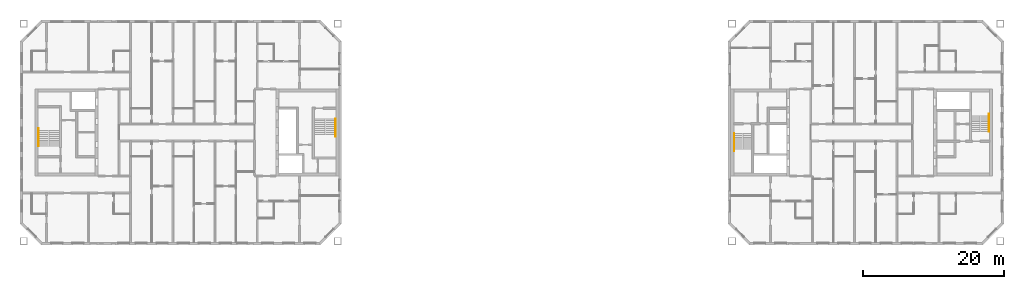
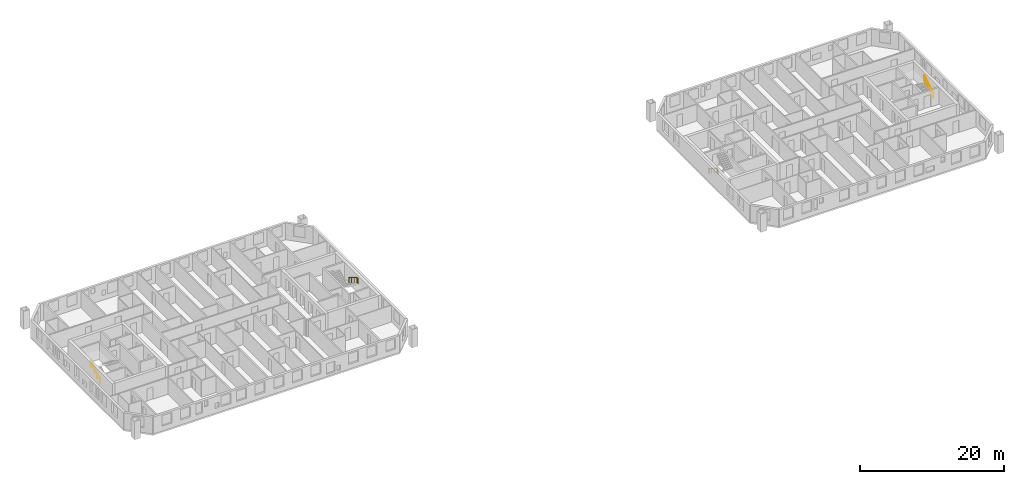
# One storey, part 16 of 16: 4 railings.
"""IFC4 building model written with IfcOpenShell, lengths in metres."""

from ifc_helpers import new_model, si_unit, direction, frame, origin, origin_2d, place, context, subcontext, project, spatial, circle, extrude, material, type_object, element, save


model = new_model("IFC4")

# Units and contexts
model_context = context("Model", 3, precision=1e-05, world=origin(), true_north=direction((0.0, 1.0)))
body_context = subcontext(model_context, "Body", "Model", "MODEL_VIEW")
ifc_project = project(units=[si_unit("LENGTHUNIT", "METRE"), si_unit("AREAUNIT", "SQUARE_METRE"), si_unit("VOLUMEUNIT", "CUBIC_METRE"), si_unit("PLANEANGLEUNIT", "RADIAN"), si_unit("MASSUNIT", "GRAM", prefix="KILO")], contexts=[model_context])

# Site, building, storey
site_placement = place(None, origin())
site = spatial("IfcSite", under=ifc_project, at=site_placement, CompositionType="ELEMENT")
building_placement = place(site_placement, origin())
building = spatial("IfcBuilding", under=site, at=building_placement, Name="Tuart Gate Housing", CompositionType="ELEMENT")
storey_placement = place(building_placement, frame((0.0, 0.0, 182.0)))
storey = spatial("IfcBuildingStorey", under=building, at=storey_placement, Name="L51", CompositionType="ELEMENT", Elevation=182.0)

# Railings
ifc_material = material(Name="Stainless steel", Category="steel")
railing_type = type_object("IfcRailingType", Name="Stair handrail 900", PredefinedType="HANDRAIL", material=ifc_material)
railing_1_placement = place(storey_placement, frame((75.1298828125, 71.949951171875, 0.172119140625)))
element("IfcRailing", 1, at=railing_1_placement, inside=storey, type_object=railing_type, Name="Stair handrail SA1.1", PredefinedType="HANDRAIL", context=body_context, shape_type="SweptSolid", body=[
    extrude(circle(Radius=0.02392578125, at=origin_2d()), frame((0.0, 0.0, 0.8759765625), z_axis=(0.0, -0.851747552033, 0.523952390591), x_axis=(1.0, 0.0, 0.0)), (0.0, 0.0, 1.0), 2.6298828125),
    extrude(circle(Radius=0.02392578125, at=origin_2d()), frame((0.0, -2.239990234375, 2.25390625), z_axis=(0.0, -1.0, 0.0), x_axis=(1.0, 0.0, 0.0)), (0.0, 0.0, 1.0), 0.300048828125),
    extrude(circle(Radius=0.02099609375, at=origin_2d()), origin(), (0.0, 0.0, 1.0), 0.851806640625),
    extrude(circle(Radius=0.02099609375, at=origin_2d()), frame((0.0, -0.74658203125, 0.459228515625)), (0.0, 0.0, 1.0), 0.851806640625),
    extrude(circle(Radius=0.02099609375, at=origin_2d()), frame((0.0, -1.493408203125, 0.918701171875)), (0.0, 0.0, 1.0), 0.851806640625),
    extrude(circle(Radius=0.02099609375, at=origin_2d()), frame((0.0, -2.239990234375, 1.3779296875)), (0.0, 0.0, 1.0), 0.851806640625),
    extrude(circle(Radius=0.02099609375, at=origin_2d()), frame((0.0, -2.5400390625, 1.3779296875)), (0.0, 0.0, 1.0), 0.851806640625),
])
railing_2_placement = place(storey_placement, frame((32.8701171875, 68.050048828125, 0.172119140625)))
element("IfcRailing", 2, at=railing_2_placement, inside=storey, type_object=railing_type, Name="Stair handrail SA2.1", PredefinedType="HANDRAIL", context=body_context, shape_type="SweptSolid", body=[
    extrude(circle(Radius=0.02392578125, at=origin_2d()), frame((0.0, 0.0, 0.8759765625), z_axis=(0.0, 0.851747552033, 0.523952390591), x_axis=(-1.0, 0.0, 0.0)), (0.0, 0.0, 1.0), 2.6298828125),
    extrude(circle(Radius=0.02392578125, at=origin_2d()), frame((0.0, 2.239990234375, 2.25390625), z_axis=(0.0, 1.0, 0.0), x_axis=(-1.0, 0.0, 0.0)), (0.0, 0.0, 1.0), 0.300048828125),
    extrude(circle(Radius=0.02099609375, at=origin_2d()), origin(), (0.0, 0.0, 1.0), 0.851806640625),
    extrude(circle(Radius=0.02099609375, at=origin_2d()), frame((0.0, 0.74658203125, 0.459228515625)), (0.0, 0.0, 1.0), 0.851806640625),
    extrude(circle(Radius=0.02099609375, at=origin_2d()), frame((0.0, 1.493408203125, 0.918701171875)), (0.0, 0.0, 1.0), 0.851806640625),
    extrude(circle(Radius=0.02099609375, at=origin_2d()), frame((0.0, 2.239990234375, 1.3779296875)), (0.0, 0.0, 1.0), 0.851806640625),
    extrude(circle(Radius=0.02099609375, at=origin_2d()), frame((0.0, 2.5400390625, 1.3779296875)), (0.0, 0.0, 1.0), 0.851806640625),
])
railing_3_placement = place(storey_placement, frame((131.8701171875, 69.875, 0.172119140625)))
element("IfcRailing", 3, at=railing_3_placement, inside=storey, type_object=railing_type, Name="Stair handrail SB1.1", PredefinedType="HANDRAIL", context=body_context, shape_type="SweptSolid", body=[
    extrude(circle(Radius=0.02392578125, at=origin_2d()), frame((0.0, 0.0, 0.8759765625), z_axis=(0.0, -0.851747552033, 0.523952390591), x_axis=(1.0, 0.0, 0.0)), (0.0, 0.0, 1.0), 2.6298828125),
    extrude(circle(Radius=0.02392578125, at=origin_2d()), frame((0.0, -2.239990234375, 2.25390625), z_axis=(0.0, -1.0, 0.0), x_axis=(1.0, 0.0, 0.0)), (0.0, 0.0, 1.0), 0.300048828125),
    extrude(circle(Radius=0.02099609375, at=origin_2d()), origin(), (0.0, 0.0, 1.0), 0.851806640625),
    extrude(circle(Radius=0.02099609375, at=origin_2d()), frame((0.0, -0.74658203125, 0.459228515625)), (0.0, 0.0, 1.0), 0.851806640625),
    extrude(circle(Radius=0.02099609375, at=origin_2d()), frame((0.0, -1.493408203125, 0.918701171875)), (0.0, 0.0, 1.0), 0.851806640625),
    extrude(circle(Radius=0.02099609375, at=origin_2d()), frame((0.0, -2.239990234375, 1.3779296875)), (0.0, 0.0, 1.0), 0.851806640625),
    extrude(circle(Radius=0.02099609375, at=origin_2d()), frame((0.0, -2.5400390625, 1.3779296875)), (0.0, 0.0, 1.0), 0.851806640625),
])
railing_4_placement = place(storey_placement, frame((168.1298828125, 70.125, 0.172119140625)))
element("IfcRailing", 4, at=railing_4_placement, inside=storey, type_object=railing_type, Name="Stair handrail SB2.1", PredefinedType="HANDRAIL", context=body_context, shape_type="SweptSolid", body=[
    extrude(circle(Radius=0.02392578125, at=origin_2d()), frame((0.0, 0.0, 0.8759765625), z_axis=(0.0, 0.851747552033, 0.523952390591), x_axis=(-1.0, 0.0, 0.0)), (0.0, 0.0, 1.0), 2.6298828125),
    extrude(circle(Radius=0.02392578125, at=origin_2d()), frame((0.0, 2.239990234375, 2.25390625), z_axis=(0.0, 1.0, 0.0), x_axis=(-1.0, 0.0, 0.0)), (0.0, 0.0, 1.0), 0.300048828125),
    extrude(circle(Radius=0.02099609375, at=origin_2d()), origin(), (0.0, 0.0, 1.0), 0.851806640625),
    extrude(circle(Radius=0.02099609375, at=origin_2d()), frame((0.0, 0.74658203125, 0.459228515625)), (0.0, 0.0, 1.0), 0.851806640625),
    extrude(circle(Radius=0.02099609375, at=origin_2d()), frame((0.0, 1.493408203125, 0.918701171875)), (0.0, 0.0, 1.0), 0.851806640625),
    extrude(circle(Radius=0.02099609375, at=origin_2d()), frame((0.0, 2.239990234375, 1.3779296875)), (0.0, 0.0, 1.0), 0.851806640625),
    extrude(circle(Radius=0.02099609375, at=origin_2d()), frame((0.0, 2.5400390625, 1.3779296875)), (0.0, 0.0, 1.0), 0.851806640625),
])

save(model, "model.ifc")
